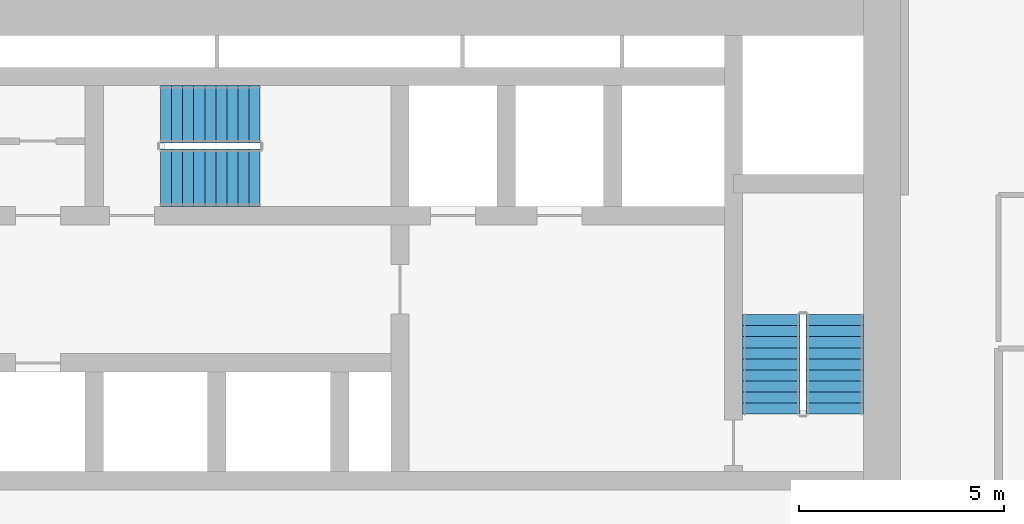
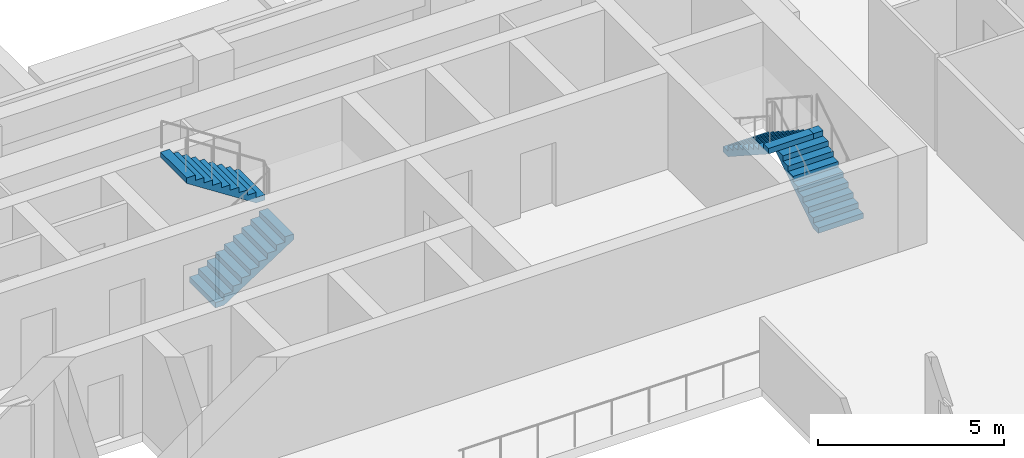
# One storey, part 13 of 17: 4 stair flights, 2 elements without a shape of their own.
"""IFC4 building model written with IfcOpenShell, lengths in metres."""

import ifcopenshell
import ifcopenshell.guid

model = None  # the IFC model being written
_history = None  # IfcOwnerHistory: only IFC2X3 demands one
_inside = {}  # id of a spatial element -> (the spatial element, [elements in it])
_under = {}  # id of a project, library or spatial element -> (it, [spatial elements below it])
_declared = {}  # id of a project -> (the project, [libraries it declares])
_typed = {}  # id of a type object -> (the type object, [elements of that type])
_made_of = {}  # id of a material, layer set ... -> (it, [elements and type objects made of it])


def new_model(schema):
    """Start an empty IFC model of exactly this schema.

    Asked for "IFC4X3", IfcOpenShell would pick the latest addendum, in which some entities
    have other attributes; the version numbers below select the first issue.
    IFC2X3 requires an IfcOwnerHistory on every rooted entity: one is made here for all.
    """
    global model, _history
    if schema == "IFC4X3":
        model = ifcopenshell.file(schema_version=(4, 3, 0, 0))
    else:
        model = ifcopenshell.file(schema=schema)
    _inside.clear()
    _under.clear()
    _declared.clear()
    _typed.clear()
    _made_of.clear()
    _history = None
    if model.schema == "IFC2X3":
        org = make("IfcOrganization", Name="unknown")
        user = make(
            "IfcPersonAndOrganization",
            ThePerson=make("IfcPerson", FamilyName="unknown"),
            TheOrganization=org,
        )
        app = make(
            "IfcApplication",
            ApplicationDeveloper=org,
            Version="unknown",
            ApplicationFullName="unknown",
            ApplicationIdentifier="unknown",
        )
        _history = make(
            "IfcOwnerHistory",
            OwningUser=user,
            OwningApplication=app,
            ChangeAction="ADDED",
            CreationDate=0,
        )
    return model


def make(cls, **values):
    """One entity of the class cls with the attributes given. An attribute that is None is left unset."""
    return model.create_entity(
        cls, **{name: value for name, value in values.items() if value is not None}
    )


def rooted(cls, **values):
    """An entity with a GlobalId (a new one), such as an element, a storey or a relation."""
    return make(cls, GlobalId=ifcopenshell.guid.new(), OwnerHistory=_history, **values)


def si_unit(unit_type, name, prefix=None):
    """IfcSIUnit, for example si_unit("LENGTHUNIT", "METRE", prefix="MILLI")."""
    return make("IfcSIUnit", UnitType=unit_type, Prefix=prefix, Name=name)


def assignment(units):
    """IfcUnitAssignment: the units of a project."""
    return None if units is None else make("IfcUnitAssignment", Units=units)


def point(xyz):
    """IfcCartesianPoint."""
    return None if xyz is None else make("IfcCartesianPoint", Coordinates=xyz)


def direction(xyz):
    """IfcDirection."""
    return None if xyz is None else make("IfcDirection", DirectionRatios=xyz)


def frame(location, z_axis=None, x_axis=None):
    """IfcAxis2Placement3D, a coordinate frame: its origin and axes. An axis left out is left unset."""
    return make(
        "IfcAxis2Placement3D",
        Location=point(location),
        Axis=direction(z_axis),
        RefDirection=direction(x_axis),
    )


def origin():
    """The frame at (0, 0, 0) with its axes left unset."""
    return frame((0.0, 0.0, 0.0))


def place(relative_to, where):
    """IfcLocalPlacement: puts the frame where relative to a parent placement (None: the world)."""
    return make(
        "IfcLocalPlacement", PlacementRelTo=relative_to, RelativePlacement=where
    )


def context(
    kind, dimensions, precision=None, world=None, true_north=None, identifier=None
):
    """IfcGeometricRepresentationContext, for example the 3D "Model" context."""
    return make(
        "IfcGeometricRepresentationContext",
        ContextIdentifier=identifier,
        ContextType=kind,
        CoordinateSpaceDimension=dimensions,
        Precision=precision,
        WorldCoordinateSystem=world,
        TrueNorth=true_north,
    )


def subcontext(parent, identifier, kind, view, scale=None):
    """IfcGeometricRepresentationSubContext, for example "Body" below "Model"."""
    return make(
        "IfcGeometricRepresentationSubContext",
        ContextIdentifier=identifier,
        ContextType=kind,
        ParentContext=parent,
        TargetScale=scale,
        TargetView=view,
    )


def project(units=None, contexts=None):
    """IfcProject with its units and contexts."""
    return rooted(
        "IfcProject",
        Name="project",
        RepresentationContexts=contexts,
        UnitsInContext=assignment(units),
    )


def spatial(cls, under=None, at=None, **own):
    """A site, building, storey or space (cls), placed at a placement, below another one or the project."""
    s = rooted(cls, ObjectPlacement=at, **own)
    if under is not None:
        _under.setdefault(under.id(), (under, []))[1].append(s)
    return s


def polyline(points):
    """IfcPolyline through the points."""
    return make("IfcPolyline", Points=[point(p) for p in points])


def outline(outer, holes=None, kind="AREA"):
    """IfcArbitraryClosedProfileDef: a profile drawn as a closed curve; with holes, ...WithVoids."""
    if holes is None:
        return make("IfcArbitraryClosedProfileDef", ProfileType=kind, OuterCurve=outer)
    return make(
        "IfcArbitraryProfileDefWithVoids",
        ProfileType=kind,
        OuterCurve=outer,
        InnerCurves=holes,
    )


def extrude(swept, where, along, depth):
    """IfcExtrudedAreaSolid: the profile swept, set in the frame where, extruded along a direction by depth."""
    return make(
        "IfcExtrudedAreaSolid",
        SweptArea=swept,
        Position=where,
        ExtrudedDirection=direction(along),
        Depth=depth,
    )


def shape(context_of_items, identifier, shape_type, items):
    """IfcShapeRepresentation: the items that make up one representation, for example the "Body"."""
    return make(
        "IfcShapeRepresentation",
        ContextOfItems=context_of_items,
        RepresentationIdentifier=identifier,
        RepresentationType=shape_type,
        Items=items,
    )


def material(Name=None, Category=None):
    """IfcMaterial."""
    return make("IfcMaterial", Name=Name, Category=Category)


def layer(
    of_material, thickness, ventilated=None, Name=None, Category=None, Priority=None
):
    """IfcMaterialLayer: one layer of a wall or slab, of a material (None: an air gap)."""
    return make(
        "IfcMaterialLayer",
        Material=of_material,
        LayerThickness=thickness,
        IsVentilated=ventilated,
        Name=Name,
        Category=Category,
        Priority=Priority,
    )


def layer_set(layers, Name=None):
    """IfcMaterialLayerSet."""
    return make("IfcMaterialLayerSet", MaterialLayers=layers, LayerSetName=Name)


def made_of(thing, what):
    """Note that an element or type object is made of a material, layer set ...; save() writes the relation."""
    if what is not None:
        _made_of.setdefault(what.id(), (what, []))[1].append(thing)
    return thing


def type_object(cls, material=None, **own):
    """A type object (cls), such as IfcWallType, which elements share."""
    return made_of(rooted(cls, **own), material)


def element(
    cls,
    number,
    at=None,
    inside=None,
    cuts=None,
    type_object=None,
    material=None,
    context=None,
    identifier="Body",
    shape_type=None,
    held_by="IfcProductDefinitionShape",
    body=None,
    shapes=None,
    **own,
):
    """One element of the class cls, such as IfcWall. Its Tag is "e" and its number.

    at: its placement. inside: the storey or other place that contains it. cuts: it is an
    opening in that element (IfcRelVoidsElement). A single representation is given by context,
    identifier, shape_type and body (its items); several are given by shapes. held_by: the class
    of the entity that holds the representations. save() writes the other relations.
    """
    e = rooted(cls, Tag="e%d" % number, ObjectPlacement=at, **own)
    if body is not None:
        shapes = [shape(context, identifier, shape_type, body)]
    if shapes is not None:
        e.Representation = make(held_by, Representations=shapes)
    if inside is not None:
        _inside.setdefault(inside.id(), (inside, []))[1].append(e)
    if cuts is not None:
        rooted(
            "IfcRelVoidsElement", RelatingBuildingElement=cuts, RelatedOpeningElement=e
        )
    if type_object is not None:
        _typed.setdefault(type_object.id(), (type_object, []))[1].append(e)
    return made_of(e, material)


def aggregate(whole, parts):
    """IfcRelAggregates: a whole, such as a stair, and the parts it consists of."""
    return rooted("IfcRelAggregates", RelatingObject=whole, RelatedObjects=parts)


def save(model, path):
    """Write the relations noted so far, then the file.

    IfcRelAggregates (storeys below a building ...), IfcRelContainedInSpatialStructure (elements
    in a storey), IfcRelDefinesByType, IfcRelAssociatesMaterial and IfcRelDeclares: one each for
    every whole, place, type object, material and project.
    """
    for whole, parts in _under.values():
        aggregate(whole, parts)
    for where, things in _inside.values():
        rooted(
            "IfcRelContainedInSpatialStructure",
            RelatedElements=things,
            RelatingStructure=where,
        )
    for kind, things in _typed.values():
        rooted("IfcRelDefinesByType", RelatedObjects=things, RelatingType=kind)
    for what, things in _made_of.values():
        rooted("IfcRelAssociatesMaterial", RelatedObjects=things, RelatingMaterial=what)
    for by, libraries in _declared.values():
        rooted("IfcRelDeclares", RelatingContext=by, RelatedDefinitions=libraries)
    model.write(path)


model = new_model("IFC4")

# Units and contexts
model_context = context("Model", 3, precision=1e-05, world=origin(), true_north=direction((0.0, 1.0)))
body_context = subcontext(model_context, "Body", "Model", "MODEL_VIEW")
ifc_project = project(units=[si_unit("LENGTHUNIT", "METRE"), si_unit("AREAUNIT", "SQUARE_METRE"), si_unit("VOLUMEUNIT", "CUBIC_METRE"), si_unit("PLANEANGLEUNIT", "RADIAN"), si_unit("MASSUNIT", "GRAM", prefix="KILO")], contexts=[model_context])

# Site, building, storey
site_placement = place(None, origin())
site = spatial("IfcSite", under=ifc_project, at=site_placement, CompositionType="ELEMENT")
building_placement = place(site_placement, origin())
building = spatial("IfcBuilding", under=site, at=building_placement, Name="Saffron Iwan Residences", CompositionType="ELEMENT")
storey_placement = place(building_placement, frame((0.0, 0.0, 41.0)))
storey = spatial("IfcBuildingStorey", under=building, at=storey_placement, Name="L09", CompositionType="ELEMENT", Elevation=41.0)

# Stair, stair flights
ifc_material = material(Name="Concrete C50/60", Category="concrete")
stair_type = type_object("IfcStairType", Name="Stair ST-CORE", PredefinedType="HALF_TURN_STAIR", material=ifc_material)
stair_1_placement = place(storey_placement, origin())
stair_1 = element("IfcStair", 1, at=stair_1_placement, inside=storey, type_object=stair_type, Name="L09 Exit Stair ST-C", PredefinedType="HALF_TURN_STAIR")
ifc_layer = layer(ifc_material, 0.14990234375)
ifc_layer_set = layer_set([ifc_layer], Name="Concrete C50/60")
stair_flight_type = type_object("IfcStairFlightType", Name="Stair flight SFL-RC", PredefinedType="STRAIGHT", material=ifc_layer_set)
stair_flight_1_placement = place(storey_placement, frame((53.925048828125, 73.625, 0.0), z_axis=(0.0, 0.0, 1.0), x_axis=(1.0, 0.0, 0.0)))
stair_flight_1 = element("IfcStairFlight", 2, at=stair_flight_1_placement, type_object=stair_flight_type, Name="ST-C flight 1", NumberOfRisers=10, NumberOfTreads=9, PredefinedType="STRAIGHT", RiserHeight=0.175, TreadLength=0.27, context=body_context, shape_type="SweptSolid", body=[
    extrude(outline(polyline([(0.0, 0.0), (0.0, 0.175048828125), (0.27001953125, 0.175048828125), (0.27001953125, 0.35009765625), (0.5400390625, 0.35009765625), (0.5400390625, 0.52490234375), (0.81005859375, 0.52490234375), (0.81005859375, 0.699951171875), (1.080078125, 0.699951171875), (1.080078125, 0.875), (1.35009765625, 0.875), (1.35009765625, 1.050048828125), (1.6201171875, 1.050048828125), (1.6201171875, 1.22509765625), (1.889892578125, 1.22509765625), (1.889892578125, 1.39990234375), (2.159912109375, 1.39990234375), (2.159912109375, 1.574951171875), (2.429931640625, 1.574951171875), (2.429931640625, 1.75), (2.429931640625, 1.396484375), (0.275634765625, 0.0), (0.0, 0.0)])), frame((0.0, 0.699951171875, 0.0), z_axis=(0.0, -1.0, 0.0), x_axis=(1.0, 0.0, 0.0)), (0.0, 0.0, 1.0), 1.39990234375),
])
stair_flight_2_placement = place(storey_placement, frame((56.35498046875, 75.175048828125, 1.75), z_axis=(0.0, 0.0, 1.0), x_axis=(-1.0, 0.0, 0.0)))
stair_flight_2 = element("IfcStairFlight", 3, at=stair_flight_2_placement, type_object=stair_flight_type, Name="ST-C flight 2", NumberOfRisers=10, NumberOfTreads=9, PredefinedType="STRAIGHT", RiserHeight=0.175, TreadLength=0.27, context=body_context, shape_type="SweptSolid", body=[
    extrude(outline(polyline([(0.0, 0.0), (0.0, 0.175048828125), (0.27001953125, 0.175048828125), (0.27001953125, 0.35009765625), (0.5400390625, 0.35009765625), (0.5400390625, 0.52490234375), (0.81005859375, 0.52490234375), (0.81005859375, 0.699951171875), (1.080078125, 0.699951171875), (1.080078125, 0.875), (1.35009765625, 0.875), (1.35009765625, 1.050048828125), (1.6201171875, 1.050048828125), (1.6201171875, 1.22509765625), (1.889892578125, 1.22509765625), (1.889892578125, 1.39990234375), (2.159912109375, 1.39990234375), (2.159912109375, 1.574951171875), (2.429931640625, 1.574951171875), (2.429931640625, 1.75), (2.429931640625, 1.396484375), (0.275634765625, 0.0), (0.0, 0.0)])), frame((0.0, 0.699951171875, 0.0), z_axis=(0.0, -1.0, 0.0), x_axis=(1.0, 0.0, 0.0)), (0.0, 0.0, 1.0), 1.39990234375),
])
aggregate(stair_1, [stair_flight_1, stair_flight_2])

stair_2_placement = place(storey_placement, origin())
stair_2 = element("IfcStair", 4, at=stair_2_placement, inside=storey, type_object=stair_type, Name="L09 Exit Stair ST-E", PredefinedType="HALF_TURN_STAIR")
stair_flight_3_placement = place(storey_placement, frame((70.39990234375, 67.85009765625, 0.0), z_axis=(0.0, 0.0, 1.0), x_axis=(0.0, 1.0, 0.0)))
stair_flight_3 = element("IfcStairFlight", 5, at=stair_flight_3_placement, type_object=stair_flight_type, Name="ST-E flight 1", NumberOfRisers=10, NumberOfTreads=9, PredefinedType="STRAIGHT", RiserHeight=0.175, TreadLength=0.27, context=body_context, shape_type="SweptSolid", body=[
    extrude(outline(polyline([(0.0, 0.0), (0.0, 0.175048828125), (0.27001953125, 0.175048828125), (0.27001953125, 0.35009765625), (0.5400390625, 0.35009765625), (0.5400390625, 0.52490234375), (0.81005859375, 0.52490234375), (0.81005859375, 0.699951171875), (1.080078125, 0.699951171875), (1.080078125, 0.875), (1.35009765625, 0.875), (1.35009765625, 1.050048828125), (1.6201171875, 1.050048828125), (1.6201171875, 1.22509765625), (1.889892578125, 1.22509765625), (1.889892578125, 1.39990234375), (2.159912109375, 1.39990234375), (2.159912109375, 1.574951171875), (2.429931640625, 1.574951171875), (2.429931640625, 1.75), (2.429931640625, 1.396484375), (0.275634765625, 0.0), (0.0, 0.0)])), frame((0.0, 0.699951171875, 0.0), z_axis=(0.0, -1.0, 0.0), x_axis=(1.0, 0.0, 0.0)), (0.0, 0.0, 1.0), 1.39990234375),
])
stair_flight_4_placement = place(storey_placement, frame((68.85009765625, 70.280029296875, 1.75), z_axis=(0.0, 0.0, 1.0), x_axis=(0.0, -1.0, 0.0)))
stair_flight_4 = element("IfcStairFlight", 6, at=stair_flight_4_placement, type_object=stair_flight_type, Name="ST-E flight 2", NumberOfRisers=10, NumberOfTreads=9, PredefinedType="STRAIGHT", RiserHeight=0.175, TreadLength=0.27, context=body_context, shape_type="SweptSolid", body=[
    extrude(outline(polyline([(0.0, 0.0), (0.0, 0.175048828125), (0.27001953125, 0.175048828125), (0.27001953125, 0.35009765625), (0.5400390625, 0.35009765625), (0.5400390625, 0.52490234375), (0.81005859375, 0.52490234375), (0.81005859375, 0.699951171875), (1.080078125, 0.699951171875), (1.080078125, 0.875), (1.35009765625, 0.875), (1.35009765625, 1.050048828125), (1.6201171875, 1.050048828125), (1.6201171875, 1.22509765625), (1.889892578125, 1.22509765625), (1.889892578125, 1.39990234375), (2.159912109375, 1.39990234375), (2.159912109375, 1.574951171875), (2.429931640625, 1.574951171875), (2.429931640625, 1.75), (2.429931640625, 1.396484375), (0.275634765625, 0.0), (0.0, 0.0)])), frame((0.0, 0.699951171875, 0.0), z_axis=(0.0, -1.0, 0.0), x_axis=(1.0, 0.0, 0.0)), (0.0, 0.0, 1.0), 1.39990234375),
])
aggregate(stair_2, [stair_flight_3, stair_flight_4])

save(model, "model.ifc")
